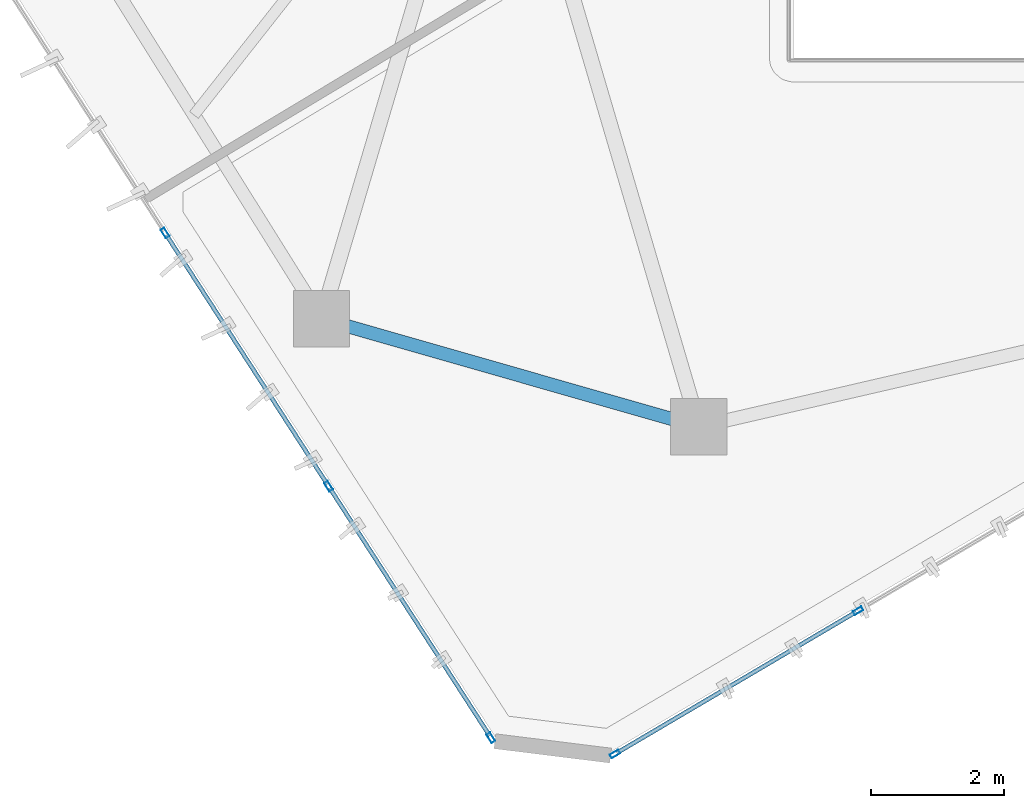
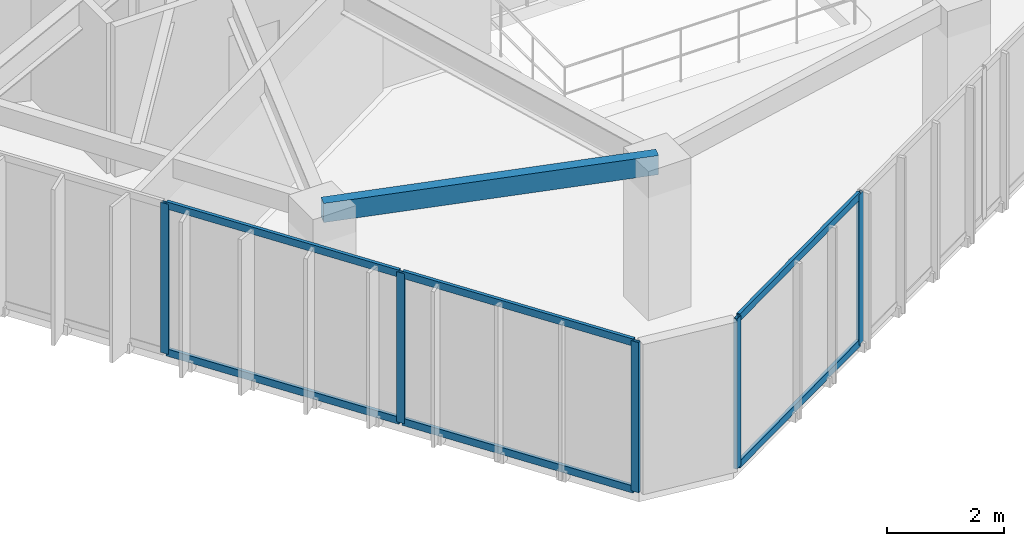
# One storey, part 2 of 20: 11 members, 1 beam, 2 elements without a shape of their own.
"""IFC4 building model written with IfcOpenShell, lengths in metres."""

from ifc_helpers import new_model, si_unit, direction, frame, origin, origin_2d, place, context, subcontext, project, spatial, hollow_rectangle, extrude, source, transform, mapped, material, layer, layer_set, material_profile, profile_set, type_object, type_shapes, element, aggregate, save


model = new_model("IFC4")

# Units and contexts
model_context = context("Model", 3, precision=1e-05, world=origin(), true_north=direction((0.0, 1.0)))
body_context = subcontext(model_context, "Body", "Model", "MODEL_VIEW")
ifc_project = project(units=[si_unit("LENGTHUNIT", "METRE"), si_unit("AREAUNIT", "SQUARE_METRE"), si_unit("VOLUMEUNIT", "CUBIC_METRE"), si_unit("PLANEANGLEUNIT", "RADIAN"), si_unit("MASSUNIT", "GRAM", prefix="KILO")], contexts=[model_context])

# Site, building, storey
site_placement = place(None, origin())
site = spatial("IfcSite", under=ifc_project, at=site_placement, CompositionType="ELEMENT")
building_placement = place(site_placement, origin())
building = spatial("IfcBuilding", under=site, at=building_placement, Name="Talar Marvaseh", CompositionType="ELEMENT")
storey_placement = place(building_placement, frame((0.0, 0.0, 254.39990234375)))
storey = spatial("IfcBuildingStorey", under=building, at=storey_placement, Name="L67", CompositionType="ELEMENT", Elevation=254.39990234375)

# Beam
ifc_material_1 = material(Name="Steel S355", Category="steel")
ifc_material_profile_1 = material_profile(ifc_material_1, hollow_rectangle(XDim=0.199951171875, YDim=0.39990234375, WallThickness=0.013916015625, at=origin_2d()), Name="RHS400x200x14")
ifc_profile_set_1 = profile_set([ifc_material_profile_1], Name="Steel S355")
beam_type = type_object("IfcBeamType", Name="Zone 3 Perimeter Spandrel Beam RHS400x200x14", PredefinedType="SPANDREL", material=ifc_profile_set_1)
beam_placement = place(storey_placement, frame((21.77587890625, 15.0400390625, 2.940185546875), z_axis=(-0.961411768303, 0.275113452538, 0.0), x_axis=(-0.275113452538, -0.961411768303, 0.0)))
element("IfcBeam", 1, at=beam_placement, inside=storey, type_object=beam_type, Name="L67 Zone 3 Perimeter Spandrel Beam RHS400x200x14", PredefinedType="SPANDREL", context=body_context, shape_type="SweptSolid", body=[
    extrude(hollow_rectangle(XDim=0.199951171875, YDim=0.39990234375, WallThickness=0.013916015625, at=origin_2d()), origin(), (0.0, 0.0, 1.0), 5.917236328125),
])

# Curtain wall, members
ifc_material_2 = material(Name="Architectural Aluminium", Category="aluminium")
ifc_layer = layer(ifc_material_2, 0.179931640625)
ifc_layer_set = layer_set([ifc_layer], Name="Architectural Aluminium")
curtain_wall_type = type_object("IfcCurtainWallType", Name="Unitised High-Wind Sky Curtain Wall Z4", PredefinedType="NOTDEFINED", material=ifc_layer_set)
curtain_wall_1_placement = place(storey_placement, origin())
curtain_wall_1 = element("IfcCurtainWall", 2, at=curtain_wall_1_placement, inside=storey, type_object=curtain_wall_type, Name="L67 Unitised High-Wind Sky Curtain Wall Z4", PredefinedType="NOTDEFINED")
ifc_material_profile_2 = material_profile(ifc_material_2, hollow_rectangle(XDim=0.06494140625, YDim=0.14990234375, WallThickness=0.00390625, at=origin_2d()), Name="RHS150x65x4")
ifc_profile_set_2 = profile_set([ifc_material_profile_2], Name="Architectural Aluminium")
member_type_1 = type_object("IfcMemberType", Name="Unitised Curtain Wall Slim Transom RHS150x65x4", PredefinedType="USERDEFINED", material=ifc_profile_set_2)
shared_shape_1 = source(origin(), body_context, "Body", "SweptSolid", [
    extrude(hollow_rectangle(XDim=0.06494140625, YDim=0.14990234375, WallThickness=0.00390625, at=origin_2d()), origin(), (0.0, 0.0, 1.0), 4.447509765625),
])
member_1_placement = place(storey_placement, frame((18.622802734375, 10.37939453125, 0.03271484375), z_axis=(-0.54241567084, 0.840110254685, 0.0), x_axis=(-0.840110254685, -0.54241567084, 0.0)))
member_1 = element("IfcMember", 3, at=member_1_placement, type_object=member_type_1, Name="CW-Z4 transom 1.1", ObjectType="TRANSOM", PredefinedType="USERDEFINED", context=body_context, shape_type="MappedRepresentation", body=[
    mapped(shared_shape_1, transform((0.0, 0.0, 0.0), x_axis=(1.0, 0.0, 0.0), y_axis=(0.0, 1.0, 0.0), z_axis=(0.0, 0.0, 1.0), scale=1.0)),
])
member_2_placement = place(storey_placement, frame((18.622802734375, 10.37939453125, 3.107666015625), z_axis=(-0.54241567084, 0.840110254685, 0.0), x_axis=(-0.840110254685, -0.54241567084, 0.0)))
member_2 = element("IfcMember", 4, at=member_2_placement, type_object=member_type_1, Name="CW-Z4 transom 1.2", ObjectType="TRANSOM", PredefinedType="USERDEFINED", context=body_context, shape_type="MappedRepresentation", body=[
    mapped(shared_shape_1, transform((0.0, 0.0, 0.0), x_axis=(1.0, 0.0, 0.0), y_axis=(0.0, 1.0, 0.0), z_axis=(0.0, 0.0, 1.0), scale=1.0)),
])
shared_shape_2 = source(origin(), body_context, "Body", "SweptSolid", [
    extrude(hollow_rectangle(XDim=0.06494140625, YDim=0.14990234375, WallThickness=0.00390625, at=origin_2d()), origin(), (0.0, 0.0, 1.0), 4.47998046875),
])
member_3_placement = place(storey_placement, frame((16.17529296875, 14.17041015625, 0.03271484375), z_axis=(-0.542403647382, 0.840118017487, 0.0), x_axis=(-0.840118017487, -0.542403647382, 0.0)))
member_3 = element("IfcMember", 5, at=member_3_placement, type_object=member_type_1, Name="CW-Z4 transom 2.1", ObjectType="TRANSOM", PredefinedType="USERDEFINED", context=body_context, shape_type="MappedRepresentation", body=[
    mapped(shared_shape_2, transform((0.0, 0.0, 0.0), x_axis=(1.0, 0.0, 0.0), y_axis=(0.0, 1.0, 0.0), z_axis=(0.0, 0.0, 1.0), scale=1.0)),
])
member_4_placement = place(storey_placement, frame((16.17529296875, 14.17041015625, 3.107666015625), z_axis=(-0.542403647382, 0.840118017487, 0.0), x_axis=(-0.840118017487, -0.542403647382, 0.0)))
member_4 = element("IfcMember", 6, at=member_4_placement, type_object=member_type_1, Name="CW-Z4 transom 2.2", ObjectType="TRANSOM", PredefinedType="USERDEFINED", context=body_context, shape_type="MappedRepresentation", body=[
    mapped(shared_shape_2, transform((0.0, 0.0, 0.0), x_axis=(1.0, 0.0, 0.0), y_axis=(0.0, 1.0, 0.0), z_axis=(0.0, 0.0, 1.0), scale=1.0)),
])

curtain_wall_2_placement = place(storey_placement, origin())
curtain_wall_2 = element("IfcCurtainWall", 7, at=curtain_wall_2_placement, inside=storey, type_object=curtain_wall_type, Name="L67 Unitised High-Wind Sky Curtain Wall Z4", PredefinedType="NOTDEFINED")
shared_shape_3 = source(origin(), body_context, "Body", "SweptSolid", [
    extrude(hollow_rectangle(XDim=0.06494140625, YDim=0.14990234375, WallThickness=0.00390625, at=origin_2d()), origin(), (0.0, 0.0, 1.0), 4.188720703125),
])
type_shapes(member_type_1, [shared_shape_1, shared_shape_2, shared_shape_3])
member_5_placement = place(storey_placement, frame((24.148193359375, 12.24853515625, 0.03271484375), z_axis=(-0.86155940179, -0.507656771045, 0.0), x_axis=(0.507656771045, -0.86155940179, 0.0)))
member_5 = element("IfcMember", 8, at=member_5_placement, type_object=member_type_1, Name="CW-Z4 transom 4.1", ObjectType="TRANSOM", PredefinedType="USERDEFINED", context=body_context, shape_type="MappedRepresentation", body=[
    mapped(shared_shape_3, transform((0.0, 0.0, 0.0), x_axis=(1.0, 0.0, 0.0), y_axis=(0.0, 1.0, 0.0), z_axis=(0.0, 0.0, 1.0), scale=1.0)),
])
member_6_placement = place(storey_placement, frame((24.148193359375, 12.24853515625, 3.107666015625), z_axis=(-0.86155940179, -0.507656771045, 0.0), x_axis=(0.507656771045, -0.86155940179, 0.0)))
member_6 = element("IfcMember", 9, at=member_6_placement, type_object=member_type_1, Name="CW-Z4 transom 4.2", ObjectType="TRANSOM", PredefinedType="USERDEFINED", context=body_context, shape_type="MappedRepresentation", body=[
    mapped(shared_shape_3, transform((0.0, 0.0, 0.0), x_axis=(1.0, 0.0, 0.0), y_axis=(0.0, 1.0, 0.0), z_axis=(0.0, 0.0, 1.0), scale=1.0)),
])

# Member
ifc_material_profile_3 = material_profile(ifc_material_2, hollow_rectangle(XDim=0.06494140625, YDim=0.14990234375, WallThickness=0.00390625, at=origin_2d()), Name="RHS150x65x4")
ifc_profile_set_3 = profile_set([ifc_material_profile_3], Name="Architectural Aluminium")
member_type_2 = type_object("IfcMemberType", Name="Unitised Curtain Wall Slim Mullion RHS150x65x4", PredefinedType="MULLION", material=ifc_profile_set_3)
shared_shape_4 = source(origin(), body_context, "Body", "SweptSolid", [
    extrude(hollow_rectangle(XDim=0.06494140625, YDim=0.14990234375, WallThickness=0.00390625, at=origin_2d()), origin(), (0.0, 0.0, 1.0), 3.14013671875),
])
type_shapes(member_type_2, [shared_shape_4])
member_7_placement = place(storey_placement, frame((18.640380859375, 10.35205078125, 0.0), z_axis=(0.0, 0.0, 1.0), x_axis=(-0.840128152199, -0.54238794961, 0.0)))
member_7 = element("IfcMember", 10, at=member_7_placement, type_object=member_type_2, Name="CW-Z4 mullion 1", PredefinedType="MULLION", context=body_context, shape_type="MappedRepresentation", body=[
    mapped(shared_shape_4, transform((0.0, 0.0, 0.0), x_axis=(1.0, 0.0, 0.0), y_axis=(0.0, 1.0, 0.0), z_axis=(0.0, 0.0, 1.0), scale=1.0)),
])

member_8_placement = place(storey_placement, frame((16.19287109375, 14.14306640625, 0.0), z_axis=(0.0, 0.0, 1.0), x_axis=(-0.840128152199, -0.54238794961, 0.0)))
member_8 = element("IfcMember", 11, at=member_8_placement, type_object=member_type_2, Name="CW-Z4 mullion 2", PredefinedType="MULLION", context=body_context, shape_type="MappedRepresentation", body=[
    mapped(shared_shape_4, transform((0.0, 0.0, 0.0), x_axis=(1.0, 0.0, 0.0), y_axis=(0.0, 1.0, 0.0), z_axis=(0.0, 0.0, 1.0), scale=1.0)),
])

member_9_placement = place(storey_placement, frame((13.727783203125, 17.96142578125, 0.0), z_axis=(0.0, 0.0, 1.0), x_axis=(-0.840128152199, -0.54238794961, 0.0)))
member_9 = element("IfcMember", 12, at=member_9_placement, type_object=member_type_2, Name="CW-Z4 mullion 3", PredefinedType="MULLION", context=body_context, shape_type="MappedRepresentation", body=[
    mapped(shared_shape_4, transform((0.0, 0.0, 0.0), x_axis=(1.0, 0.0, 0.0), y_axis=(0.0, 1.0, 0.0), z_axis=(0.0, 0.0, 1.0), scale=1.0)),
])

aggregate(curtain_wall_1, [member_7, member_8, member_9, member_1, member_2, member_3, member_4])

member_10_placement = place(storey_placement, frame((24.17626953125, 12.26513671875, 0.0), z_axis=(0.0, 0.0, 1.0), x_axis=(0.507671743815, -0.861550579207, 0.0)))
member_10 = element("IfcMember", 13, at=member_10_placement, type_object=member_type_2, Name="CW-Z4 mullion 4", PredefinedType="MULLION", context=body_context, shape_type="MappedRepresentation", body=[
    mapped(shared_shape_4, transform((0.0, 0.0, 0.0), x_axis=(1.0, 0.0, 0.0), y_axis=(0.0, 1.0, 0.0), z_axis=(0.0, 0.0, 1.0), scale=1.0)),
])

member_11_placement = place(storey_placement, frame((20.511474609375, 10.105712890625, 0.0), z_axis=(0.0, 0.0, 1.0), x_axis=(0.507671743815, -0.861550579207, 0.0)))
member_11 = element("IfcMember", 14, at=member_11_placement, type_object=member_type_2, Name="CW-Z4 mullion 5", PredefinedType="MULLION", context=body_context, shape_type="MappedRepresentation", body=[
    mapped(shared_shape_4, transform((0.0, 0.0, 0.0), x_axis=(1.0, 0.0, 0.0), y_axis=(0.0, 1.0, 0.0), z_axis=(0.0, 0.0, 1.0), scale=1.0)),
])

aggregate(curtain_wall_2, [member_10, member_11, member_5, member_6])

save(model, "model.ifc")
